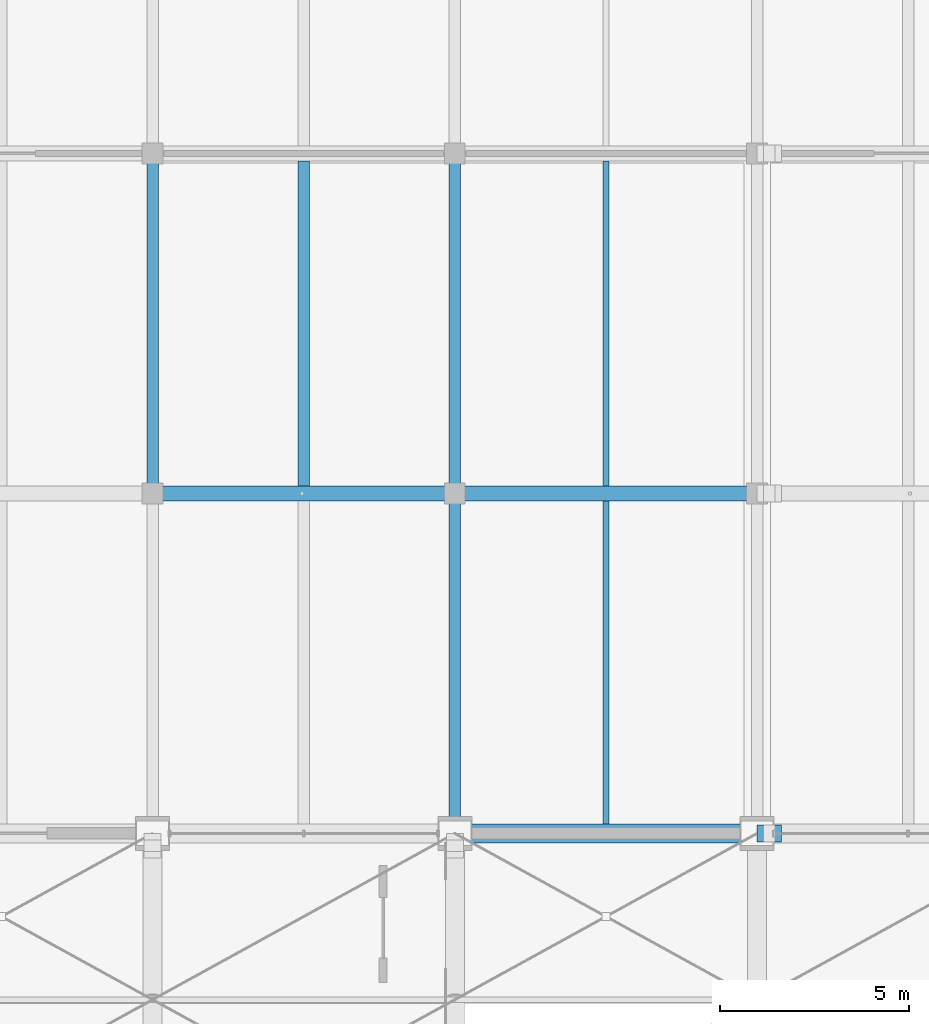
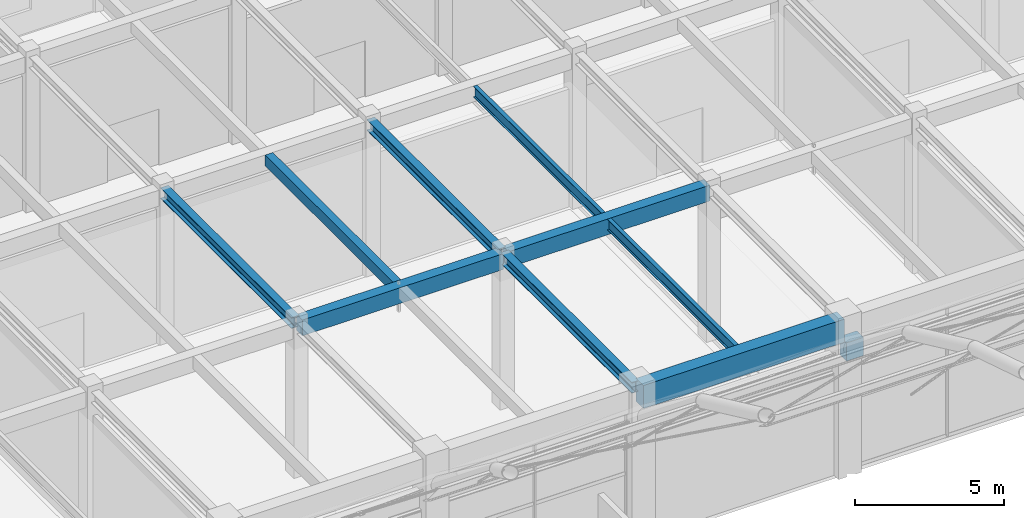
# One storey, part 87 of 163: 10 beams.
"""IFC4 building model written with IfcOpenShell, lengths in metres."""

from ifc_helpers import new_model, si_unit, direction, frame, origin, origin_2d, place, context, subcontext, project, spatial, rectangle, i_section, extrude, material, material_profile, profile_set, type_object, element, save


model = new_model("IFC4")

# Units and contexts
model_context = context("Model", 3, precision=1e-05, world=origin(), true_north=direction((0.0, 1.0)))
body_context = subcontext(model_context, "Body", "Model", "MODEL_VIEW")
ifc_project = project(units=[si_unit("LENGTHUNIT", "METRE"), si_unit("AREAUNIT", "SQUARE_METRE"), si_unit("VOLUMEUNIT", "CUBIC_METRE"), si_unit("PLANEANGLEUNIT", "RADIAN"), si_unit("MASSUNIT", "GRAM", prefix="KILO")], contexts=[model_context])

# Site, building, storey
site_placement = place(None, origin())
site = spatial("IfcSite", under=ifc_project, at=site_placement, CompositionType="ELEMENT")
building_placement = place(site_placement, origin())
building = spatial("IfcBuilding", under=site, at=building_placement, Name="Varnabhumi Central Station", CompositionType="ELEMENT")
storey_placement = place(building_placement, frame((0.0, 0.0, 9.60009765625)))
storey = spatial("IfcBuildingStorey", under=building, at=storey_placement, Name="L02", CompositionType="ELEMENT", Elevation=9.60009765625)

# Beams
ifc_material_1 = material(Name="Structural steel E350", Category="steel")
ifc_material_profile_1 = material_profile(ifc_material_1, i_section(OverallWidth=0.14990234375, OverallDepth=0.449951171875, WebThickness=0.009521484375, FlangeThickness=0.017333984375, FilletRadius=0.014892578125, at=origin_2d()), Name="Structural steel E350", Category="steel")
ifc_profile_set_1 = profile_set([ifc_material_profile_1], Name="Structural steel E350")
beam_type_1 = type_object("IfcBeamType", Name="BM-JST-ISMB450", PredefinedType="JOIST", material=ifc_profile_set_1)
beam_1_placement = place(storey_placement, frame((116.0, 80.25, 6.125), z_axis=(0.0, 1.0, 0.0), x_axis=(-1.0, 0.0, 0.0)))
element("IfcBeam", 1, at=beam_1_placement, inside=storey, type_object=beam_type_1, Name="Secondary Joist L02-15/16:K-L", PredefinedType="JOIST", context=body_context, shape_type="SweptSolid", body=[
    extrude(i_section(OverallWidth=0.14990234375, OverallDepth=0.449951171875, WebThickness=0.009521484375, FlangeThickness=0.017333984375, FilletRadius=0.014892578125, at=origin_2d()), origin(), (0.0, 0.0, 1.0), 8.550048828125),
])
beam_2_placement = place(storey_placement, frame((116.0, 89.199951171875, 6.125), z_axis=(0.0, 1.0, 0.0), x_axis=(-1.0, 0.0, 0.0)))
element("IfcBeam", 2, at=beam_2_placement, inside=storey, type_object=beam_type_1, Name="Secondary Joist L02-15/16:L-M", PredefinedType="JOIST", context=body_context, shape_type="SweptSolid", body=[
    extrude(i_section(OverallWidth=0.14990234375, OverallDepth=0.449951171875, WebThickness=0.009521484375, FlangeThickness=0.017333984375, FilletRadius=0.014892578125, at=origin_2d()), origin(), (0.0, 0.0, 1.0), 8.60009765625),
])
ifc_material_2 = material(Name="Concrete M40", Category="concrete")
ifc_material_profile_2 = material_profile(ifc_material_2, rectangle(XDim=0.300048828125, YDim=0.449951171875, at=origin_2d()), Name="Concrete M40", Category="concrete")
ifc_profile_set_2 = profile_set([ifc_material_profile_2], Name="Concrete M40")
beam_type_2 = type_object("IfcBeamType", Name="BM-RC-300x450", PredefinedType="JOIST", material=ifc_profile_set_2)
beam_3_placement = place(storey_placement, frame((108.0, 89.199951171875, 6.125), z_axis=(0.0, 1.0, 0.0), x_axis=(-1.0, 0.0, 0.0)))
element("IfcBeam", 3, at=beam_3_placement, inside=storey, type_object=beam_type_2, Name="Secondary Joist L02-14/15:L-M", PredefinedType="JOIST", context=body_context, shape_type="SweptSolid", body=[
    extrude(rectangle(XDim=0.300048828125, YDim=0.449951171875, at=origin_2d()), origin(), (0.0, 0.0, 1.0), 8.60009765625),
])
ifc_material_profile_3 = material_profile(ifc_material_2, rectangle(XDim=0.39990234375, YDim=0.64990234375, at=origin_2d()), Name="Concrete M40", Category="concrete")
ifc_profile_set_3 = profile_set([ifc_material_profile_3], Name="Concrete M40")
beam_type_3 = type_object("IfcBeamType", Name="BM-RC-400x650", PredefinedType="BEAM", material=ifc_profile_set_3)
for number, where, z_axis, x_axis, name in (
    (4, (104.10009765625, 89.0, 6.02490234375), (1.0, 0.0, 0.0), (0.0, 1.0, 0.0), "Beam L02-L:14-15"),
    (5, (112.10009765625, 89.0, 6.02490234375), (1.0, 0.0, 0.0), (0.0, 1.0, 0.0), "Beam L02-L:15-16"),
):
    element("IfcBeam", number, at=place(storey_placement, frame(where, z_axis=z_axis, x_axis=x_axis)), inside=storey, type_object=beam_type_3, Name=name, PredefinedType="BEAM", context=body_context, shape_type="SweptSolid", body=[
        extrude(rectangle(XDim=0.39990234375, YDim=0.64990234375, at=origin_2d()), origin(), (0.0, 0.0, 1.0), 7.7998046875),
    ])
ifc_material_profile_4 = material_profile(ifc_material_2, rectangle(XDim=0.449951171875, YDim=0.75, at=origin_2d()), Name="Concrete M40", Category="concrete")
ifc_profile_set_4 = profile_set([ifc_material_profile_4], Name="Concrete M40")
beam_type_4 = type_object("IfcBeamType", Name="BM-RC-450x750", PredefinedType="BEAM", material=ifc_profile_set_4)
beam_4_placement = place(storey_placement, frame((120.0, 80.0, 4.94482421875), z_axis=(1.0, 0.0, 0.0), x_axis=(0.0, 1.0, 0.0)))
element("IfcBeam", 6, at=beam_4_placement, inside=storey, type_object=beam_type_4, Name="Movement Joint 650mm Corbel Seat L02-K-16", PredefinedType="BEAM", context=body_context, shape_type="SweptSolid", body=[
    extrude(rectangle(XDim=0.449951171875, YDim=0.75, at=origin_2d()), origin(), (0.0, 0.0, 1.0), 0.64990234375),
])
ifc_material_profile_5 = material_profile(ifc_material_2, rectangle(XDim=0.5, YDim=0.949951171875, at=origin_2d()), Name="Concrete M40", Category="concrete")
ifc_profile_set_5 = profile_set([ifc_material_profile_5], Name="Concrete M40")
beam_type_5 = type_object("IfcBeamType", Name="BM-RC-950x500", PredefinedType="BEAM", material=ifc_profile_set_5)
beam_5_placement = place(storey_placement, frame((112.10009765625, 80.0, 5.875), z_axis=(1.0, 0.0, 0.0), x_axis=(0.0, 1.0, 0.0)))
element("IfcBeam", 7, at=beam_5_placement, inside=storey, type_object=beam_type_5, Name="Beam L02-K:15-16", PredefinedType="BEAM", context=body_context, shape_type="SweptSolid", body=[
    extrude(rectangle(XDim=0.5, YDim=0.949951171875, at=origin_2d()), origin(), (0.0, 0.0, 1.0), 7.7998046875),
])
ifc_material_profile_6 = material_profile(ifc_material_1, i_section(OverallWidth=0.300048828125, OverallDepth=0.449951171875, WebThickness=0.013916015625, FlangeThickness=0.02587890625, FilletRadius=0.027099609375, at=origin_2d()), Name="Structural steel E350", Category="steel")
ifc_profile_set_6 = profile_set([ifc_material_profile_6], Name="Structural steel E350")
beam_type_6 = type_object("IfcBeamType", Name="BM-STL-WPB450", PredefinedType="BEAM", material=ifc_profile_set_6)
for number, where, z_axis, x_axis, name in (
    (8, (112.0, 80.10009765625, 6.125), (0.0, 1.0, 0.0), (-1.0, 0.0, 0.0), "Beam L02-15:K-L"),
    (9, (104.0, 89.10009765625, 6.125), (0.0, 1.0, 0.0), (-1.0, 0.0, 0.0), "Beam L02-14:L-M"),
    (10, (112.0, 89.10009765625, 6.125), (0.0, 1.0, 0.0), (-1.0, 0.0, 0.0), "Beam L02-15:L-M"),
):
    element("IfcBeam", number, at=place(storey_placement, frame(where, z_axis=z_axis, x_axis=x_axis)), inside=storey, type_object=beam_type_6, Name=name, PredefinedType="BEAM", context=body_context, shape_type="SweptSolid", body=[
        extrude(i_section(OverallWidth=0.300048828125, OverallDepth=0.449951171875, WebThickness=0.013916015625, FlangeThickness=0.02587890625, FilletRadius=0.027099609375, at=origin_2d()), origin(), (0.0, 0.0, 1.0), 8.7998046875),
    ])

save(model, "model.ifc")
